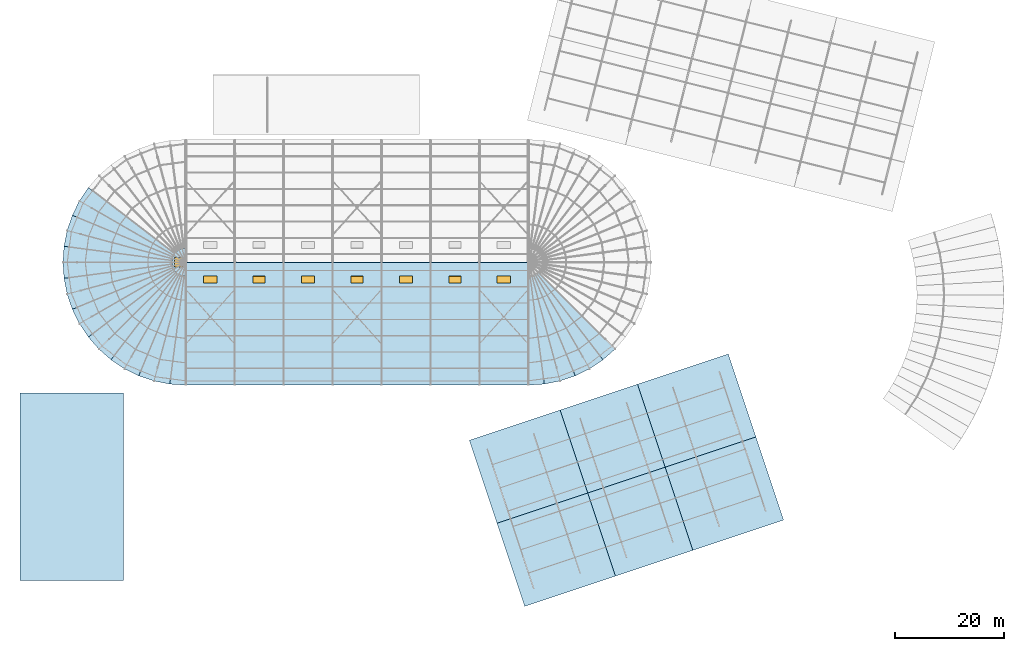
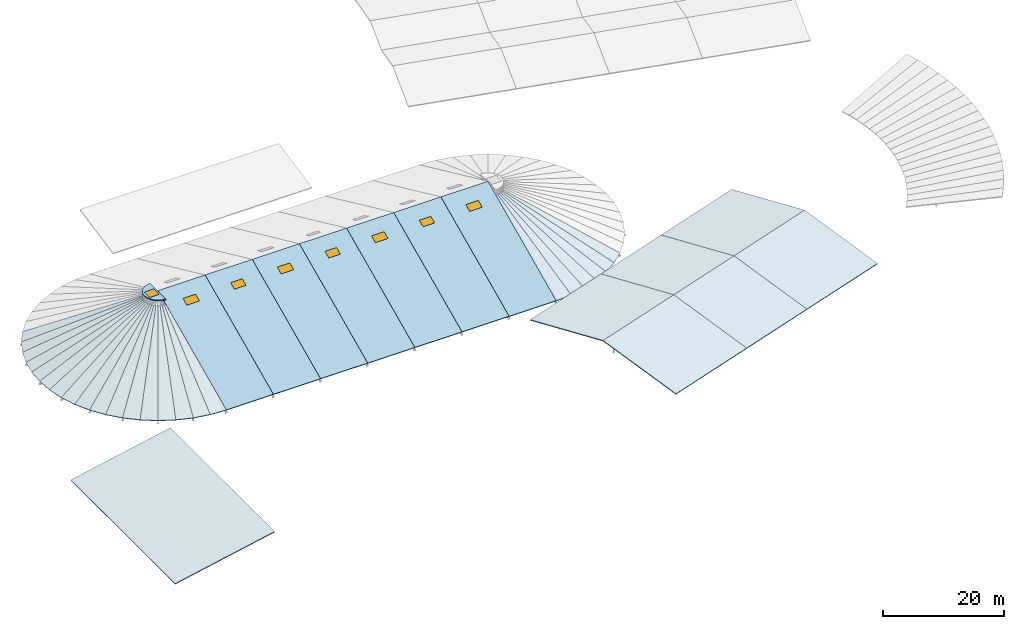
# One storey, part 82 of 107: 38 slabs, 8 windows, 8 openings.
"""IFC4 building model written with IfcOpenShell, lengths in metres."""

from ifc_helpers import new_model, si_unit, derived_unit, direction, frame, origin, origin_2d, place, context, subcontext, project, spatial, polyline, rectangle, outline, extrude, material, layer, layer_set, type_object, element, fill, save


model = new_model("IFC4")

# Units and contexts
model_context = context("Model", 3, precision=1e-05, world=origin(), true_north=direction((0.0, 1.0)))
body_context = subcontext(model_context, "Body", "Model", "MODEL_VIEW")
ifc_project = project(units=[si_unit("LENGTHUNIT", "METRE"), si_unit("AREAUNIT", "SQUARE_METRE"), si_unit("VOLUMEUNIT", "CUBIC_METRE"), si_unit("PLANEANGLEUNIT", "RADIAN"), si_unit("MASSUNIT", "GRAM", prefix="KILO"), si_unit("THERMODYNAMICTEMPERATUREUNIT", "KELVIN"), si_unit("TIMEUNIT", "SECOND"), derived_unit("THERMALTRANSMITTANCEUNIT", [(si_unit("MASSUNIT", "GRAM", prefix="KILO"), 1), (si_unit("THERMODYNAMICTEMPERATUREUNIT", "KELVIN"), -1), (si_unit("TIMEUNIT", "SECOND"), -3)])], contexts=[model_context])

# Site, building, storey
site_placement = place(None, origin())
site = spatial("IfcSite", under=ifc_project, at=site_placement, CompositionType="ELEMENT")
building_placement = place(site_placement, origin())
building = spatial("IfcBuilding", under=site, at=building_placement, Name="Cambertide Market Hall", CompositionType="ELEMENT")
storey_placement = place(building_placement, frame((0.0, 0.0, 18.300048828125)))
storey = spatial("IfcBuildingStorey", under=building, at=storey_placement, Name="RF", CompositionType="ELEMENT", Elevation=18.300048828125)

# Slabs
ifc_material_1 = material(Name="Concrete B30", Category="concrete")
ifc_layer_1 = layer(ifc_material_1, 0.169921875, Name="Conical Apse Roof Facet Deck 170")
ifc_layer_set_1 = layer_set([ifc_layer_1], Name="Concrete B30")
slab_type_1 = type_object("IfcSlabType", Name="Conical Apse Roof Facet Deck 170", PredefinedType="ROOF", material=ifc_layer_set_1)
slab_1_placement = place(storey_placement, frame((24.0703125, 85.758056640625, -10.208984375), z_axis=(-0.348074789506, 0.23260796997, 0.908150578493), x_axis=(-0.555616053433, -0.831438994246, 3.739204e-06)))
element("IfcSlab", 1, at=slab_1_placement, inside=storey, type_object=slab_type_1, Name="RSLB-CONE-W-08", PredefinedType="ROOF", context=body_context, shape_type="SweptSolid", body=[
    extrude(outline(polyline([(0.0, 0.0), (2.9563263187428053, 0.0), (1.6471713377690491, 21.97559776528562), (1.3071192917010481, 21.97562720757946), (0.0, 0.0)])), origin(), (0.0, 0.0, -1.0), 0.169921875),
])
slab_2_placement = place(storey_placement, frame((22.427734375, 83.300048828125, -10.208984375), z_axis=(-0.375481625338, 0.185136315846, 0.90815092005), x_axis=(-0.442247696838, -0.896892956019, -9.278662e-06)))
element("IfcSlab", 2, at=slab_2_placement, inside=storey, type_object=slab_type_1, Name="RSLB-CONE-W-09", PredefinedType="ROOF", context=body_context, shape_type="SweptSolid", body=[
    extrude(outline(polyline([(0.0, 0.0), (2.9561752731755653, 0.0), (1.6490878307739543, 21.97568792501984), (1.3088679146911453, 21.97561486482148), (0.0, 0.0)])), origin(), (0.0, 0.0, -1.0), 0.169921875),
])
slab_3_placement = place(storey_placement, frame((21.120361328125, 80.648681640625, -10.208984375), z_axis=(-0.396426263437, 0.134570980314, 0.908150245782), x_axis=(-0.321429216987, -0.946933608238, 7.488302e-06)))
element("IfcSlab", 3, at=slab_3_placement, inside=storey, type_object=slab_type_1, Name="RSLB-CONE-W-10", PredefinedType="ROOF", context=body_context, shape_type="SweptSolid", body=[
    extrude(outline(polyline([(0.0, 0.0), (2.9561873204523446, 1.1102230246251565e-16), (1.6485858544963068, 21.975545106032726), (1.3084965677589078, 21.9756040666105), (0.0, 0.0)])), origin(), (0.0, 0.0, -1.0), 0.169921875),
])
slab_4_placement = place(storey_placement, frame((20.170166015625, 77.849365234375, -10.208984375), z_axis=(-0.410598583265, 0.081673211624, 0.908151028147), x_axis=(-0.195137310723, -0.980775932351, -2.2004101e-05)))
element("IfcSlab", 4, at=slab_4_placement, inside=storey, type_object=slab_type_1, Name="RSLB-CONE-W-11", PredefinedType="ROOF", context=body_context, shape_type="SweptSolid", body=[
    extrude(outline(polyline([(0.0, 0.0), (2.956251083457717, 0.0), (1.6470605285820976, 21.975750279612583), (1.3070648902037176, 21.975577026993157), (0.0, 0.0)])), origin(), (0.0, 0.0, -1.0), 0.169921875),
])
slab_5_placement = place(storey_placement, frame((19.59326171875, 74.949951171875, -10.208984375), z_axis=(-0.417743409083, 0.027409275858, 0.908151515863), x_axis=(-0.065417787225, -0.997857962081, 2.5012015e-05)))
element("IfcSlab", 5, at=slab_5_placement, inside=storey, type_object=slab_type_1, Name="RSLB-CONE-W-12", PredefinedType="ROOF", context=body_context, shape_type="SweptSolid", body=[
    extrude(outline(polyline([(0.0, 0.0), (2.9562814070581482, 0.0), (1.6481557718809003, 21.975620784879933), (1.3080578705826424, 21.97581772918988), (0.0, 0.0)])), origin(), (0.0, 0.0, -1.0), 0.169921875),
])
slab_6_placement = place(storey_placement, frame((19.39990234375, 72.0, -10.208984375), z_axis=(-0.417743409083, -0.027409275858, 0.908151515863), x_axis=(0.065417787225, -0.997857962081, -2.5012015e-05)))
element("IfcSlab", 6, at=slab_6_placement, inside=storey, type_object=slab_type_1, Name="RSLB-CONE-W-13", PredefinedType="ROOF", context=body_context, shape_type="SweptSolid", body=[
    extrude(outline(polyline([(0.0, 0.0), (2.9562814070581482, 0.0), (1.648223536475506, 21.97581772918988), (1.3081256351772481, 21.975620784879933), (0.0, 0.0)])), origin(), (0.0, 0.0, -1.0), 0.169921875),
])
slab_7_placement = place(storey_placement, frame((19.59326171875, 69.050048828125, -10.208984375), z_axis=(-0.410598583265, -0.081673211624, 0.908151028147), x_axis=(0.195137310723, -0.980775932351, 2.2004101e-05)))
element("IfcSlab", 7, at=slab_7_placement, inside=storey, type_object=slab_type_1, Name="RSLB-CONE-W-14", PredefinedType="ROOF", context=body_context, shape_type="SweptSolid", body=[
    extrude(outline(polyline([(0.0, 0.0), (2.956251083457717, 0.0), (1.6491861932539995, 21.975577026993157), (1.309190554875619, 21.975750279612583), (0.0, 0.0)])), origin(), (0.0, 0.0, -1.0), 0.169921875),
])
slab_8_placement = place(storey_placement, frame((20.170166015625, 66.150634765625, -10.208984375), z_axis=(-0.396426263437, -0.134570980314, 0.908150245782), x_axis=(0.321429216987, -0.946933608238, -7.488302e-06)))
element("IfcSlab", 8, at=slab_8_placement, inside=storey, type_object=slab_type_1, Name="RSLB-CONE-W-15", PredefinedType="ROOF", context=body_context, shape_type="SweptSolid", body=[
    extrude(outline(polyline([(0.0, 0.0), (2.9561873204523446, -1.1102230246251565e-16), (1.6476907526934368, 21.9756040666105), (1.3076014659560387, 21.975545106032726), (0.0, 0.0)])), origin(), (0.0, 0.0, -1.0), 0.169921875),
])
slab_9_placement = place(storey_placement, frame((21.120361328125, 63.351318359375, -10.208984375), z_axis=(-0.375481625338, -0.185136315846, 0.90815092005), x_axis=(0.442247696838, -0.896892956019, 9.278662e-06)))
element("IfcSlab", 9, at=slab_9_placement, inside=storey, type_object=slab_type_1, Name="RSLB-CONE-W-16", PredefinedType="ROOF", context=body_context, shape_type="SweptSolid", body=[
    extrude(outline(polyline([(0.0, 0.0), (2.9561752731755653, 0.0), (1.6473073584844196, 21.97561486482148), (1.3070874424016115, 21.97568792501984), (0.0, 0.0)])), origin(), (0.0, 0.0, -1.0), 0.169921875),
])
slab_10_placement = place(storey_placement, frame((22.427734375, 60.699951171875, -10.208984375), z_axis=(-0.348074789506, -0.23260796997, 0.908150578493), x_axis=(0.555616053433, -0.831438994246, -3.739204e-06)))
element("IfcSlab", 10, at=slab_10_placement, inside=storey, type_object=slab_type_1, Name="RSLB-CONE-W-17", PredefinedType="ROOF", context=body_context, shape_type="SweptSolid", body=[
    extrude(outline(polyline([(0.0, 0.0), (2.9563263187428053, 0.0), (1.649207027041759, 21.97562720757946), (1.3091549809737562, 21.97559776528562), (0.0, 0.0)])), origin(), (0.0, 0.0, -1.0), 0.169921875),
])
slab_11_placement = place(storey_placement, frame((24.0703125, 58.241943359375, -10.208984375), z_axis=(-0.314754205314, -0.276026197981, 0.908151599826), x_axis=(0.659306173802, -0.751874569863, -1.9477017e-05)))
element("IfcSlab", 11, at=slab_11_placement, inside=storey, type_object=slab_type_1, Name="RSLB-CONE-W-18", PredefinedType="ROOF", context=body_context, shape_type="SweptSolid", body=[
    extrude(outline(polyline([(0.0, 0.0), (2.9561297044671377, 2.220446049250313e-16), (1.6468173433613174, 21.975805417620908), (1.306701364755123, 21.975652061968933), (0.0, 0.0)])), origin(), (0.0, 0.0, -1.0), 0.169921875),
])
slab_12_placement = place(storey_placement, frame((26.019287109375, 56.019287109375, -10.208984375), z_axis=(-0.276026197981, -0.314754205314, 0.908151599826), x_axis=(0.751874569863, -0.659306173802, 1.9477017e-05)))
element("IfcSlab", 12, at=slab_12_placement, inside=storey, type_object=slab_type_1, Name="RSLB-CONE-W-19", PredefinedType="ROOF", context=body_context, shape_type="SweptSolid", body=[
    extrude(outline(polyline([(0.0, 0.0), (2.9561297044671377, -2.220446049250313e-16), (1.6494283397120146, 21.975652061968933), (1.3093123611058186, 21.975805417620908), (0.0, 0.0)])), origin(), (0.0, 0.0, -1.0), 0.169921875),
])
slab_13_placement = place(storey_placement, frame((28.241943359375, 54.0703125, -10.208984375), z_axis=(-0.23260796997, -0.348074789506, 0.908150578493), x_axis=(0.831438994246, -0.555616053433, 3.739204e-06)))
element("IfcSlab", 13, at=slab_13_placement, inside=storey, type_object=slab_type_1, Name="RSLB-CONE-W-20", PredefinedType="ROOF", context=body_context, shape_type="SweptSolid", body=[
    extrude(outline(polyline([(0.0, 0.0), (2.9563263187428053, 0.0), (1.6471713377690491, 21.97559776528562), (1.3071192917010481, 21.97562720757946), (0.0, 0.0)])), origin(), (0.0, 0.0, -1.0), 0.169921875),
])
slab_14_placement = place(storey_placement, frame((30.699951171875, 52.427734375, -10.208984375), z_axis=(-0.185136315846, -0.375481625338, 0.90815092005), x_axis=(0.896892956019, -0.442247696838, -9.278662e-06)))
element("IfcSlab", 14, at=slab_14_placement, inside=storey, type_object=slab_type_1, Name="RSLB-CONE-W-21", PredefinedType="ROOF", context=body_context, shape_type="SweptSolid", body=[
    extrude(outline(polyline([(0.0, 0.0), (2.9561752731755653, 0.0), (1.6490878307739543, 21.97568792501984), (1.3088679146911453, 21.97561486482148), (0.0, 0.0)])), origin(), (0.0, 0.0, -1.0), 0.169921875),
])
slab_15_placement = place(storey_placement, frame((33.351318359375, 51.120361328125, -10.208984375), z_axis=(-0.134570980314, -0.396426263437, 0.908150245782), x_axis=(0.946933608238, -0.321429216987, 7.488302e-06)))
element("IfcSlab", 15, at=slab_15_placement, inside=storey, type_object=slab_type_1, Name="RSLB-CONE-W-22", PredefinedType="ROOF", context=body_context, shape_type="SweptSolid", body=[
    extrude(outline(polyline([(0.0, 0.0), (2.9561873204523446, 1.1102230246251565e-16), (1.6485858544963068, 21.975545106032726), (1.3084965677589078, 21.9756040666105), (0.0, 0.0)])), origin(), (0.0, 0.0, -1.0), 0.169921875),
])
slab_16_placement = place(storey_placement, frame((36.150634765625, 50.170166015625, -10.208984375), z_axis=(-0.081673211624, -0.410598583265, 0.908151028147), x_axis=(0.980775932351, -0.195137310723, -2.2004101e-05)))
element("IfcSlab", 16, at=slab_16_placement, inside=storey, type_object=slab_type_1, Name="RSLB-CONE-W-23", PredefinedType="ROOF", context=body_context, shape_type="SweptSolid", body=[
    extrude(outline(polyline([(0.0, 0.0), (2.956251083457717, 0.0), (1.6470605285820976, 21.975750279612583), (1.3070648902037176, 21.975577026993157), (0.0, 0.0)])), origin(), (0.0, 0.0, -1.0), 0.169921875),
])
slab_17_placement = place(storey_placement, frame((39.050048828125, 49.59326171875, -10.208984375), z_axis=(-0.027409275858, -0.417743409083, 0.908151515863), x_axis=(0.997857962081, -0.065417787225, 2.5012015e-05)))
element("IfcSlab", 17, at=slab_17_placement, inside=storey, type_object=slab_type_1, Name="RSLB-CONE-W-24", PredefinedType="ROOF", context=body_context, shape_type="SweptSolid", body=[
    extrude(outline(polyline([(0.0, 0.0), (2.9562814070581482, 0.0), (1.6481557718809003, 21.975620784879933), (1.3080578705826424, 21.97581772918988), (0.0, 0.0)])), origin(), (0.0, 0.0, -1.0), 0.169921875),
])
slab_18_placement = place(storey_placement, frame((105.0, 49.39990234375, -10.208984375), z_axis=(0.027409275858, -0.417743409083, 0.908151515863), x_axis=(0.997857962081, 0.065417787225, -2.5012015e-05)))
element("IfcSlab", 18, at=slab_18_placement, inside=storey, type_object=slab_type_1, Name="RSLB-CONE-E-01", PredefinedType="ROOF", context=body_context, shape_type="SweptSolid", body=[
    extrude(outline(polyline([(0.0, 0.0), (2.9562814070581482, 0.0), (1.648223536475506, 21.97581772918988), (1.3081256351772481, 21.975620784879933), (0.0, 0.0)])), origin(), (0.0, 0.0, -1.0), 0.169921875),
])
slab_19_placement = place(storey_placement, frame((107.949951171875, 49.59326171875, -10.208984375), z_axis=(0.081673211624, -0.410598583265, 0.908151028147), x_axis=(0.980775932351, 0.195137310723, 2.2004101e-05)))
element("IfcSlab", 19, at=slab_19_placement, inside=storey, type_object=slab_type_1, Name="RSLB-CONE-E-02", PredefinedType="ROOF", context=body_context, shape_type="SweptSolid", body=[
    extrude(outline(polyline([(0.0, 0.0), (2.956251083457717, 0.0), (1.6491861932539995, 21.975577026993157), (1.309190554875619, 21.975750279612583), (0.0, 0.0)])), origin(), (0.0, 0.0, -1.0), 0.169921875),
])
slab_20_placement = place(storey_placement, frame((110.849365234375, 50.170166015625, -10.208984375), z_axis=(0.134570980314, -0.396426263437, 0.908150245782), x_axis=(0.946933608238, 0.321429216987, -7.488302e-06)))
element("IfcSlab", 20, at=slab_20_placement, inside=storey, type_object=slab_type_1, Name="RSLB-CONE-E-03", PredefinedType="ROOF", context=body_context, shape_type="SweptSolid", body=[
    extrude(outline(polyline([(0.0, 0.0), (2.9561873204523446, -1.1102230246251565e-16), (1.6476907526934368, 21.9756040666105), (1.3076014659560387, 21.975545106032726), (0.0, 0.0)])), origin(), (0.0, 0.0, -1.0), 0.169921875),
])
slab_21_placement = place(storey_placement, frame((113.648681640625, 51.120361328125, -10.208984375), z_axis=(0.185136315846, -0.375481625338, 0.90815092005), x_axis=(0.896892956019, 0.442247696838, 9.278662e-06)))
element("IfcSlab", 21, at=slab_21_placement, inside=storey, type_object=slab_type_1, Name="RSLB-CONE-E-04", PredefinedType="ROOF", context=body_context, shape_type="SweptSolid", body=[
    extrude(outline(polyline([(0.0, 0.0), (2.9561752731755653, 0.0), (1.6473073584844196, 21.97561486482148), (1.3070874424016115, 21.97568792501984), (0.0, 0.0)])), origin(), (0.0, 0.0, -1.0), 0.169921875),
])
slab_22_placement = place(storey_placement, frame((116.300048828125, 52.427734375, -10.208984375), z_axis=(0.23260796997, -0.348074789506, 0.908150578493), x_axis=(0.831438994246, 0.555616053433, -3.739204e-06)))
element("IfcSlab", 22, at=slab_22_placement, inside=storey, type_object=slab_type_1, Name="RSLB-CONE-E-05", PredefinedType="ROOF", context=body_context, shape_type="SweptSolid", body=[
    extrude(outline(polyline([(0.0, 0.0), (2.9563263187428053, 0.0), (1.649207027041759, 21.97562720757946), (1.3091549809737562, 21.97559776528562), (0.0, 0.0)])), origin(), (0.0, 0.0, -1.0), 0.169921875),
])
slab_23_placement = place(storey_placement, frame((118.758056640625, 54.0703125, -10.208984375), z_axis=(0.276026197981, -0.314754205314, 0.908151599826), x_axis=(0.751874569863, 0.659306173802, -1.9477017e-05)))
element("IfcSlab", 23, at=slab_23_placement, inside=storey, type_object=slab_type_1, Name="RSLB-CONE-E-06", PredefinedType="ROOF", context=body_context, shape_type="SweptSolid", body=[
    extrude(outline(polyline([(0.0, 0.0), (2.9561297044671377, 2.220446049250313e-16), (1.6468173433613174, 21.975805417620908), (1.306701364755123, 21.975652061968933), (0.0, 0.0)])), origin(), (0.0, 0.0, -1.0), 0.169921875),
])

# Slab, opening, window
ifc_material_2 = material(Name="Concrete B30", Category="concrete")
ifc_layer_2 = layer(ifc_material_2, 0.2099609375, Name="Conical Crown Oculus Roof Deck 210")
ifc_layer_set_2 = layer_set([ifc_layer_2], Name="Concrete B30")
slab_type_2 = type_object("IfcSlabType", Name="Conical Crown Oculus Roof Deck 210", PredefinedType="ROOF", material=ifc_layer_set_2)
slab_24_placement = place(storey_placement, frame((0.0, 0.0, -0.130126953125)))
slab_24 = element("IfcSlab", 24, at=slab_24_placement, inside=storey, type_object=slab_type_2, Name="Roof Slab RSLB-OCULUS-W", PredefinedType="ROOF", context=body_context, shape_type="SweptSolid", body=[
    extrude(outline(polyline([(42.0, 74.60009765625), (41.3271484375, 74.511474609375), (40.699951171875, 74.251708984375), (40.16162109375, 73.83837890625), (39.748291015625, 73.300048828125), (39.488525390625, 72.6728515625), (39.39990234375, 72.0), (39.488525390625, 71.3271484375), (39.748291015625, 70.699951171875), (40.16162109375, 70.16162109375), (40.699951171875, 69.748291015625), (41.3271484375, 69.488525390625), (42.0, 69.39990234375), (42.0, 74.60009765625)])), origin(), (0.0, 0.0, 1.0), 0.2099609375),
])
opening_1_placement = place(slab_24_placement, frame((40.800048828125, 72.0, -0.010009765625)))
opening_1 = element("IfcOpeningElement", 25, at=opening_1_placement, cuts=slab_24, Name="Opening SK-02", PredefinedType="OPENING", context=body_context, shape_type="SweptSolid", body=[
    extrude(rectangle(XDim=1.800048828125, YDim=1.800048828125, at=origin_2d()), origin(), (0.0, 0.0, 1.0), 0.22998046875),
])
ifc_material_3 = material(Name="Low-E Laminated Insulated Glass", Category="glass")
window_type_1 = type_object("IfcWindowType", Name="Conical Crown Oculus Skylight 1800x1800", PartitioningType="SINGLE_PANEL", PredefinedType="SKYLIGHT", material=ifc_material_3)
window_1_placement = place(slab_24_placement, frame((40.800048828125, 72.0, 0.159912109375)))
window_1 = element("IfcWindow", 26, at=window_1_placement, inside=storey, type_object=window_type_1, Name="SKY-OCULUS-W", OverallHeight=1.800048828125, OverallWidth=1.800048828125, PartitioningType="SINGLE_PANEL", PredefinedType="SKYLIGHT", context=body_context, shape_type="SweptSolid", body=[
    extrude(rectangle(XDim=1.800048828125, YDim=1.800048828125, at=origin_2d()), origin(), (0.0, 0.0, 1.0), 0.050048828125),
])
fill(opening_1, window_1)

# Slabs
ifc_material_4 = material(Name="Concrete B30", Category="concrete")
ifc_layer_3 = layer(ifc_material_4, 0.1650390625, Name="Food Court Folded Roof Deck 165")
ifc_layer_set_3 = layer_set([ifc_layer_3], Name="Concrete B30")
slab_type_3 = type_object("IfcSlabType", Name="Food Court Folded Roof Deck 165", PredefinedType="ROOF", material=ifc_layer_set_3)
slab_25_placement = place(storey_placement, frame((104.355712890625, 8.711181640625, -4.10009765625), z_axis=(0.063046177774, -0.189139916125, 0.979924115223), x_axis=(0.948681993584, 0.316231679387, 1.285505e-06)))
element("IfcSlab", 27, at=slab_25_placement, inside=storey, type_object=slab_type_3, Name="RSLB-V3-S-1", PredefinedType="ROOF", context=body_context, shape_type="SweptSolid", body=[
    extrude(outline(polyline([(0.0, 0.0), (17.599974398484388, 0.0), (17.599967818287784, 16.429746107994266), (7.06248032493216e-05, 16.42997306997721), (0.0, 0.0)])), origin(), (0.0, 0.0, -1.0), 0.1650390625),
])
slab_26_placement = place(storey_placement, frame((99.264404296875, 23.985107421875, -0.824462890625), z_axis=(-0.063046177774, 0.189139916125, 0.979924115223), x_axis=(0.948685989649, 0.316219691103, 1.28551e-06)))
element("IfcSlab", 28, at=slab_26_placement, inside=storey, type_object=slab_type_3, Name="RSLB-V3-N-1", PredefinedType="ROOF", context=body_context, shape_type="SweptSolid", body=[
    extrude(outline(polyline([(0.0, 0.0), (17.599897194947946, -8.881784197001252e-16), (17.59975594469156, 16.429973069521825), (-0.00021845232941238656, 16.42974610654329), (0.0, 0.0)])), origin(), (0.0, 0.0, -1.0), 0.1650390625),
])
slab_27_placement = place(storey_placement, frame((121.052490234375, 14.27685546875, -4.10009765625), z_axis=(0.063047028081, -0.189141084242, 0.979923835051), x_axis=(0.948683298051, 0.316227766017, 0.0)))
element("IfcSlab", 29, at=slab_27_placement, inside=storey, type_object=slab_type_3, Name="RSLB-V3-S-2", PredefinedType="ROOF", context=body_context, shape_type="SweptSolid", body=[
    extrude(outline(polyline([(0.0, 0.0), (14.999973793801622, -8.881784197001252e-16), (14.999896589757187, 16.42974610783041), (-7.720404443742884e-05, 16.42974610783041), (0.0, 0.0)])), origin(), (0.0, 0.0, -1.0), 0.1650390625),
])
slab_28_placement = place(storey_placement, frame((115.961181640625, 29.550537109375, -0.824462890625), z_axis=(-0.063046157154, 0.189138471463, 0.97992439539), x_axis=(0.948683298051, 0.316227766017, 0.0)))
element("IfcSlab", 30, at=slab_28_placement, inside=storey, type_object=slab_type_3, Name="RSLB-V3-N-2", PredefinedType="ROOF", context=body_context, shape_type="SweptSolid", body=[
    extrude(outline(polyline([(0.0, 0.0), (14.999973793801622, -8.881784197001252e-16), (14.999973793801624, 16.429973070145223), (2.2272978025984185e-17, 16.429973070145223), (0.0, 0.0)])), origin(), (0.0, 0.0, -1.0), 0.1650390625),
])
slab_29_placement = place(storey_placement, frame((135.28271484375, 19.020263671875, -4.10009765625), z_axis=(0.063047857766, -0.189140807676, 0.979923835052), x_axis=(0.948681910877, 0.316231927508, 0.0)))
element("IfcSlab", 31, at=slab_29_placement, inside=storey, type_object=slab_type_3, Name="RSLB-V3-S-3", PredefinedType="ROOF", context=body_context, shape_type="SweptSolid", body=[
    extrude(outline(polyline([(0.0, 0.0), (17.59997439849953, 0.0), (17.599967818272642, 16.429746108010484), (-6.580226889574202e-06, 16.429746108010484), (0.0, 0.0)])), origin(), (0.0, 0.0, -1.0), 0.1650390625),
])
slab_30_placement = place(storey_placement, frame((130.19140625, 34.2939453125, -0.824462890625), z_axis=(-0.063046986829, 0.189138194904, 0.97992439539), x_axis=(0.948681910877, 0.316231927508, 0.0)))
element("IfcSlab", 32, at=slab_30_placement, inside=storey, type_object=slab_type_3, Name="RSLB-V3-N-3", PredefinedType="ROOF", context=body_context, shape_type="SweptSolid", body=[
    extrude(outline(polyline([(0.0, 0.0), (17.59997439849953, 0.0), (17.600045023333067, 16.42997306999343), (7.062483353694755e-05, 16.429973069993434), (0.0, 0.0)])), origin(), (0.0, 0.0, -1.0), 0.1650390625),
])

# Slab, opening, window
ifc_material_5 = material(Name="Concrete B30", Category="concrete")
ifc_layer_4 = layer(ifc_material_5, 0.179931640625, Name="Lantern Barrel Roof Deck 180")
ifc_layer_set_4 = layer_set([ifc_layer_4], Name="Concrete B30")
slab_type_4 = type_object("IfcSlabType", Name="Lantern Barrel Roof Deck 180", PredefinedType="ROOF", material=ifc_layer_set_4)
slab_31_placement = place(storey_placement, frame((42.0, 49.39990234375, -10.197998046875), z_axis=(0.0, -0.417903988208, 0.908491197888), x_axis=(1.0, 0.0, 0.0)))
slab_31 = element("IfcSlab", 33, at=slab_31_placement, inside=storey, type_object=slab_type_4, Name="RSLB-V1S-1", PredefinedType="ROOF", context=body_context, shape_type="SweptSolid", body=[
    extrude(outline(polyline([(0.0, 0.0), (9.0, 0.0), (9.0, 24.876518021083697), (0.0, 24.876518021083697), (0.0, 0.0)])), origin(), (0.0, 0.0, -1.0), 0.179931640625),
])
opening_2_placement = place(slab_31_placement, frame((4.5, 21.354248046875, 0.010009765625), z_axis=(0.0, 0.0, 1.0), x_axis=(1.0, 0.0, 0.0)))
opening_2 = element("IfcOpeningElement", 34, at=opening_2_placement, cuts=slab_31, Name="Opening SK-01", PredefinedType="OPENING", context=body_context, shape_type="SweptSolid", body=[
    extrude(rectangle(XDim=2.39990234375, YDim=1.39990234375, at=origin_2d()), origin(), (0.0, 0.0, -1.0), 0.199951171875),
])
ifc_material_6 = material(Name="Low-E Laminated Insulated Glass", Category="glass")
window_type_2 = type_object("IfcWindowType", Name="Barrel Ridge Daylight Skylight 2400x1400", PartitioningType="SINGLE_PANEL", PredefinedType="SKYLIGHT", material=ifc_material_6)
window_2_placement = place(slab_31_placement, frame((4.5, 21.354248046875, 0.0), z_axis=(0.0, 0.0, 1.0), x_axis=(1.0, 0.0, 0.0)))
window_2 = element("IfcWindow", 35, at=window_2_placement, inside=storey, type_object=window_type_2, Name="SKY-V1S-1", OverallHeight=1.39990234375, OverallWidth=2.39990234375, PartitioningType="SINGLE_PANEL", PredefinedType="SKYLIGHT", context=body_context, shape_type="SweptSolid", body=[
    extrude(rectangle(XDim=2.39990234375, YDim=1.39990234375, at=origin_2d()), origin(), (0.0, 0.0, -1.0), 0.050048828125),
])
fill(opening_2, window_2)

slab_32_placement = place(storey_placement, frame((51.0, 49.39990234375, -10.197998046875), z_axis=(0.0, -0.417903988208, 0.908491197888), x_axis=(1.0, 0.0, 0.0)))
slab_32 = element("IfcSlab", 36, at=slab_32_placement, inside=storey, type_object=slab_type_4, Name="RSLB-V1S-2", PredefinedType="ROOF", context=body_context, shape_type="SweptSolid", body=[
    extrude(outline(polyline([(0.0, 0.0), (9.0, 0.0), (9.0, 24.876518021083697), (0.0, 24.876518021083697), (0.0, 0.0)])), origin(), (0.0, 0.0, -1.0), 0.179931640625),
])
opening_3_placement = place(slab_32_placement, frame((4.5, 21.354248046875, 0.010009765625), z_axis=(0.0, 0.0, 1.0), x_axis=(1.0, 0.0, 0.0)))
opening_3 = element("IfcOpeningElement", 37, at=opening_3_placement, cuts=slab_32, Name="Opening SK-01B", PredefinedType="OPENING", context=body_context, shape_type="SweptSolid", body=[
    extrude(rectangle(XDim=2.199951171875, YDim=1.35009765625, at=origin_2d()), origin(), (0.0, 0.0, -1.0), 0.199951171875),
])
ifc_material_7 = material(Name="Low-E Laminated Insulated Glass", Category="glass")
window_type_3 = type_object("IfcWindowType", Name="Barrel Mid-Bay Skylight 2200x1350", PartitioningType="SINGLE_PANEL", PredefinedType="SKYLIGHT", material=ifc_material_7)
window_3_placement = place(slab_32_placement, frame((4.5, 21.354248046875, 0.0), z_axis=(0.0, 0.0, 1.0), x_axis=(1.0, 0.0, 0.0)))
window_3 = element("IfcWindow", 38, at=window_3_placement, inside=storey, type_object=window_type_3, Name="SKY-V1S-2", OverallHeight=1.35009765625, OverallWidth=2.199951171875, PartitioningType="SINGLE_PANEL", PredefinedType="SKYLIGHT", context=body_context, shape_type="SweptSolid", body=[
    extrude(rectangle(XDim=2.199951171875, YDim=1.35009765625, at=origin_2d()), origin(), (0.0, 0.0, -1.0), 0.050048828125),
])
fill(opening_3, window_3)

slab_33_placement = place(storey_placement, frame((60.0, 49.39990234375, -10.197998046875), z_axis=(0.0, -0.417903988208, 0.908491197888), x_axis=(1.0, 0.0, 0.0)))
slab_33 = element("IfcSlab", 39, at=slab_33_placement, inside=storey, type_object=slab_type_4, Name="RSLB-V1S-3", PredefinedType="ROOF", context=body_context, shape_type="SweptSolid", body=[
    extrude(outline(polyline([(0.0, 0.0), (9.0, 0.0), (9.0, 24.876518021083697), (0.0, 24.876518021083697), (0.0, 0.0)])), origin(), (0.0, 0.0, -1.0), 0.179931640625),
])
opening_4_placement = place(slab_33_placement, frame((4.5, 21.354248046875, 0.010009765625), z_axis=(0.0, 0.0, 1.0), x_axis=(1.0, 0.0, 0.0)))
opening_4 = element("IfcOpeningElement", 40, at=opening_4_placement, cuts=slab_33, Name="Opening SK-01", PredefinedType="OPENING", context=body_context, shape_type="SweptSolid", body=[
    extrude(rectangle(XDim=2.39990234375, YDim=1.39990234375, at=origin_2d()), origin(), (0.0, 0.0, -1.0), 0.199951171875),
])
window_4_placement = place(slab_33_placement, frame((4.5, 21.354248046875, 0.0), z_axis=(0.0, 0.0, 1.0), x_axis=(1.0, 0.0, 0.0)))
window_4 = element("IfcWindow", 41, at=window_4_placement, inside=storey, type_object=window_type_2, Name="SKY-V1S-3", OverallHeight=1.39990234375, OverallWidth=2.39990234375, PartitioningType="SINGLE_PANEL", PredefinedType="SKYLIGHT", context=body_context, shape_type="SweptSolid", body=[
    extrude(rectangle(XDim=2.39990234375, YDim=1.39990234375, at=origin_2d()), origin(), (0.0, 0.0, -1.0), 0.050048828125),
])
fill(opening_4, window_4)

slab_34_placement = place(storey_placement, frame((69.0, 49.39990234375, -10.197998046875), z_axis=(0.0, -0.417903988208, 0.908491197888), x_axis=(1.0, 0.0, 0.0)))
slab_34 = element("IfcSlab", 42, at=slab_34_placement, inside=storey, type_object=slab_type_4, Name="RSLB-V1S-4", PredefinedType="ROOF", context=body_context, shape_type="SweptSolid", body=[
    extrude(outline(polyline([(0.0, 0.0), (9.0, 0.0), (9.0, 24.876518021083697), (0.0, 24.876518021083697), (0.0, 0.0)])), origin(), (0.0, 0.0, -1.0), 0.179931640625),
])
opening_5_placement = place(slab_34_placement, frame((4.5, 21.354248046875, 0.010009765625), z_axis=(0.0, 0.0, 1.0), x_axis=(1.0, 0.0, 0.0)))
opening_5 = element("IfcOpeningElement", 43, at=opening_5_placement, cuts=slab_34, Name="Opening SK-01B", PredefinedType="OPENING", context=body_context, shape_type="SweptSolid", body=[
    extrude(rectangle(XDim=2.199951171875, YDim=1.35009765625, at=origin_2d()), origin(), (0.0, 0.0, -1.0), 0.199951171875),
])
window_5_placement = place(slab_34_placement, frame((4.5, 21.354248046875, 0.0), z_axis=(0.0, 0.0, 1.0), x_axis=(1.0, 0.0, 0.0)))
window_5 = element("IfcWindow", 44, at=window_5_placement, inside=storey, type_object=window_type_3, Name="SKY-V1S-4", OverallHeight=1.35009765625, OverallWidth=2.199951171875, PartitioningType="SINGLE_PANEL", PredefinedType="SKYLIGHT", context=body_context, shape_type="SweptSolid", body=[
    extrude(rectangle(XDim=2.199951171875, YDim=1.35009765625, at=origin_2d()), origin(), (0.0, 0.0, -1.0), 0.050048828125),
])
fill(opening_5, window_5)

slab_35_placement = place(storey_placement, frame((78.0, 49.39990234375, -10.197998046875), z_axis=(0.0, -0.417903988208, 0.908491197888), x_axis=(1.0, 0.0, 0.0)))
slab_35 = element("IfcSlab", 45, at=slab_35_placement, inside=storey, type_object=slab_type_4, Name="RSLB-V1S-5", PredefinedType="ROOF", context=body_context, shape_type="SweptSolid", body=[
    extrude(outline(polyline([(0.0, 0.0), (9.0, 0.0), (9.0, 24.876518021083697), (0.0, 24.876518021083697), (0.0, 0.0)])), origin(), (0.0, 0.0, -1.0), 0.179931640625),
])
opening_6_placement = place(slab_35_placement, frame((4.5, 21.354248046875, 0.010009765625), z_axis=(0.0, 0.0, 1.0), x_axis=(1.0, 0.0, 0.0)))
opening_6 = element("IfcOpeningElement", 46, at=opening_6_placement, cuts=slab_35, Name="Opening SK-01", PredefinedType="OPENING", context=body_context, shape_type="SweptSolid", body=[
    extrude(rectangle(XDim=2.39990234375, YDim=1.39990234375, at=origin_2d()), origin(), (0.0, 0.0, -1.0), 0.199951171875),
])
window_6_placement = place(slab_35_placement, frame((4.5, 21.354248046875, 0.0), z_axis=(0.0, 0.0, 1.0), x_axis=(1.0, 0.0, 0.0)))
window_6 = element("IfcWindow", 47, at=window_6_placement, inside=storey, type_object=window_type_2, Name="SKY-V1S-5", OverallHeight=1.39990234375, OverallWidth=2.39990234375, PartitioningType="SINGLE_PANEL", PredefinedType="SKYLIGHT", context=body_context, shape_type="SweptSolid", body=[
    extrude(rectangle(XDim=2.39990234375, YDim=1.39990234375, at=origin_2d()), origin(), (0.0, 0.0, -1.0), 0.050048828125),
])
fill(opening_6, window_6)

slab_36_placement = place(storey_placement, frame((87.0, 49.39990234375, -10.197998046875), z_axis=(0.0, -0.417903988208, 0.908491197888), x_axis=(1.0, 0.0, 0.0)))
slab_36 = element("IfcSlab", 48, at=slab_36_placement, inside=storey, type_object=slab_type_4, Name="RSLB-V1S-6", PredefinedType="ROOF", context=body_context, shape_type="SweptSolid", body=[
    extrude(outline(polyline([(0.0, 0.0), (9.0, 0.0), (9.0, 24.876518021083697), (0.0, 24.876518021083697), (0.0, 0.0)])), origin(), (0.0, 0.0, -1.0), 0.179931640625),
])
opening_7_placement = place(slab_36_placement, frame((4.5, 21.354248046875, 0.010009765625), z_axis=(0.0, 0.0, 1.0), x_axis=(1.0, 0.0, 0.0)))
opening_7 = element("IfcOpeningElement", 49, at=opening_7_placement, cuts=slab_36, Name="Opening SK-01B", PredefinedType="OPENING", context=body_context, shape_type="SweptSolid", body=[
    extrude(rectangle(XDim=2.199951171875, YDim=1.35009765625, at=origin_2d()), origin(), (0.0, 0.0, -1.0), 0.199951171875),
])
window_7_placement = place(slab_36_placement, frame((4.5, 21.354248046875, 0.0), z_axis=(0.0, 0.0, 1.0), x_axis=(1.0, 0.0, 0.0)))
window_7 = element("IfcWindow", 50, at=window_7_placement, inside=storey, type_object=window_type_3, Name="SKY-V1S-6", OverallHeight=1.35009765625, OverallWidth=2.199951171875, PartitioningType="SINGLE_PANEL", PredefinedType="SKYLIGHT", context=body_context, shape_type="SweptSolid", body=[
    extrude(rectangle(XDim=2.199951171875, YDim=1.35009765625, at=origin_2d()), origin(), (0.0, 0.0, -1.0), 0.050048828125),
])
fill(opening_7, window_7)

slab_37_placement = place(storey_placement, frame((96.0, 49.39990234375, -10.197998046875), z_axis=(0.0, -0.417903988208, 0.908491197888), x_axis=(1.0, 0.0, 0.0)))
slab_37 = element("IfcSlab", 51, at=slab_37_placement, inside=storey, type_object=slab_type_4, Name="RSLB-V1S-7", PredefinedType="ROOF", context=body_context, shape_type="SweptSolid", body=[
    extrude(outline(polyline([(0.0, 0.0), (9.0, 0.0), (9.0, 24.876518021083697), (0.0, 24.876518021083697), (0.0, 0.0)])), origin(), (0.0, 0.0, -1.0), 0.179931640625),
])
opening_8_placement = place(slab_37_placement, frame((4.5, 21.354248046875, 0.010009765625), z_axis=(0.0, 0.0, 1.0), x_axis=(1.0, 0.0, 0.0)))
opening_8 = element("IfcOpeningElement", 52, at=opening_8_placement, cuts=slab_37, Name="Opening SK-01", PredefinedType="OPENING", context=body_context, shape_type="SweptSolid", body=[
    extrude(rectangle(XDim=2.39990234375, YDim=1.39990234375, at=origin_2d()), origin(), (0.0, 0.0, -1.0), 0.199951171875),
])
window_8_placement = place(slab_37_placement, frame((4.5, 21.354248046875, 0.0), z_axis=(0.0, 0.0, 1.0), x_axis=(1.0, 0.0, 0.0)))
window_8 = element("IfcWindow", 53, at=window_8_placement, inside=storey, type_object=window_type_2, Name="SKY-V1S-7", OverallHeight=1.39990234375, OverallWidth=2.39990234375, PartitioningType="SINGLE_PANEL", PredefinedType="SKYLIGHT", context=body_context, shape_type="SweptSolid", body=[
    extrude(rectangle(XDim=2.39990234375, YDim=1.39990234375, at=origin_2d()), origin(), (0.0, 0.0, -1.0), 0.050048828125),
])
fill(opening_8, window_8)

# Slab
ifc_material_8 = material(Name="Concrete B30", Category="concrete")
ifc_layer_5 = layer(ifc_material_8, 0.155029296875, Name="Promenade Curved Canopy Roof Deck 155")
ifc_layer_set_5 = layer_set([ifc_layer_5], Name="Concrete B30")
slab_type_5 = type_object("IfcSlabType", Name="Promenade Curved Canopy Roof Deck 155", PredefinedType="ROOF", material=ifc_layer_set_5)
slab_38_placement = place(storey_placement, frame((11.5, 13.5, -12.800048828125), z_axis=(-0.199362230443, 0.0, 0.97992586509), x_axis=(0.97992586509, 0.0, 0.199362230443)))
element("IfcSlab", 54, at=slab_38_placement, inside=storey, type_object=slab_type_5, Name="RSLB-V2SW", PredefinedType="ROOF", context=body_context, shape_type="SweptSolid", body=[
    extrude(outline(polyline([(0.0, 0.0), (19.389221855318446, 0.0), (19.389221855318446, 34.50000000000001), (0.0, 34.50000000000001), (0.0, 0.0)])), origin(), (0.0, 0.0, -1.0), 0.155029296875),
])

save(model, "model.ifc")
